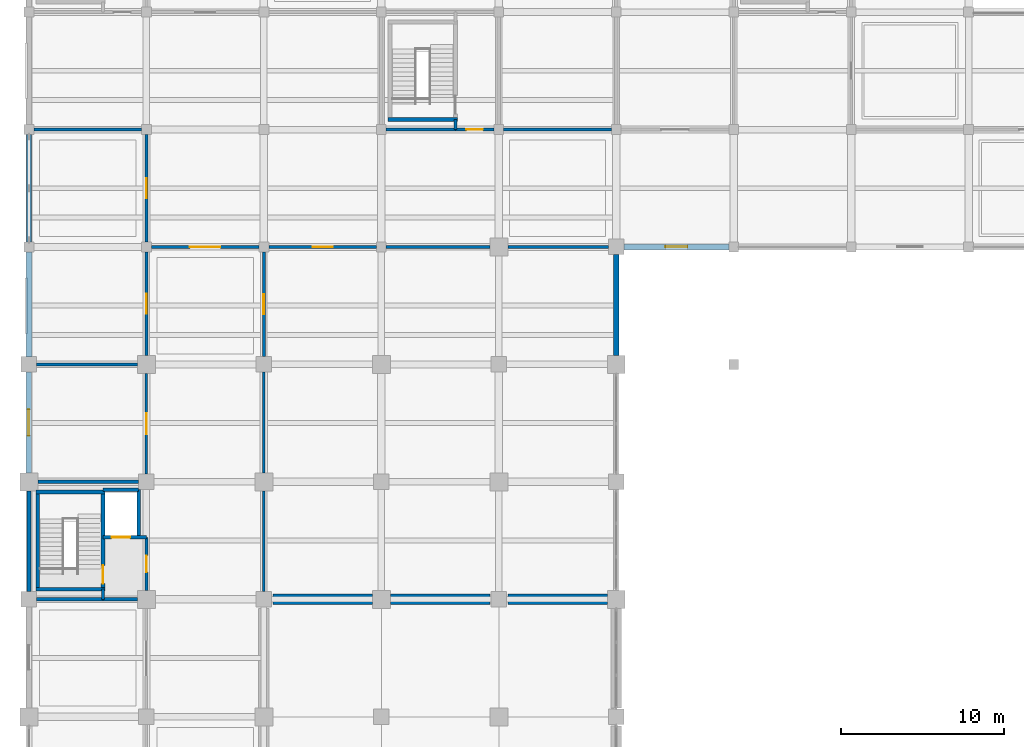
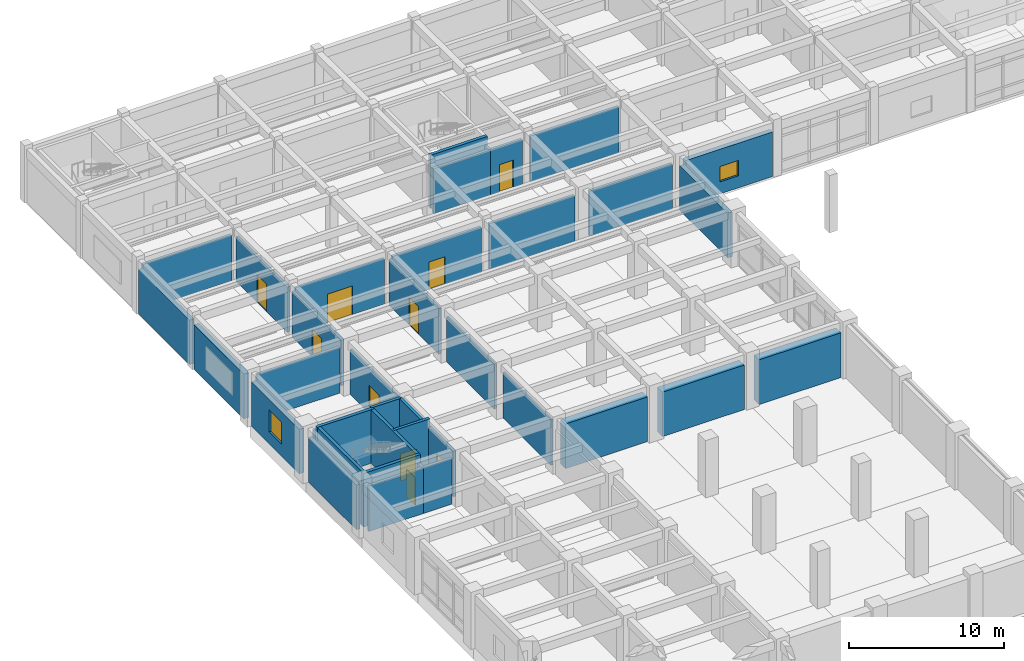
# One storey, part 64 of 81: 38 walls, 10 doors, 2 windows, 12 openings.
"""IFC4 building model written with IfcOpenShell, lengths in metres."""

import ifcopenshell
import ifcopenshell.guid

model = None  # the IFC model being written
_history = None  # IfcOwnerHistory: only IFC2X3 demands one
_inside = {}  # id of a spatial element -> (the spatial element, [elements in it])
_under = {}  # id of a project, library or spatial element -> (it, [spatial elements below it])
_declared = {}  # id of a project -> (the project, [libraries it declares])
_typed = {}  # id of a type object -> (the type object, [elements of that type])
_made_of = {}  # id of a material, layer set ... -> (it, [elements and type objects made of it])


def new_model(schema):
    """Start an empty IFC model of exactly this schema.

    Asked for "IFC4X3", IfcOpenShell would pick the latest addendum, in which some entities
    have other attributes; the version numbers below select the first issue.
    IFC2X3 requires an IfcOwnerHistory on every rooted entity: one is made here for all.
    """
    global model, _history
    if schema == "IFC4X3":
        model = ifcopenshell.file(schema_version=(4, 3, 0, 0))
    else:
        model = ifcopenshell.file(schema=schema)
    _inside.clear()
    _under.clear()
    _declared.clear()
    _typed.clear()
    _made_of.clear()
    _history = None
    if model.schema == "IFC2X3":
        org = make("IfcOrganization", Name="unknown")
        user = make(
            "IfcPersonAndOrganization",
            ThePerson=make("IfcPerson", FamilyName="unknown"),
            TheOrganization=org,
        )
        app = make(
            "IfcApplication",
            ApplicationDeveloper=org,
            Version="unknown",
            ApplicationFullName="unknown",
            ApplicationIdentifier="unknown",
        )
        _history = make(
            "IfcOwnerHistory",
            OwningUser=user,
            OwningApplication=app,
            ChangeAction="ADDED",
            CreationDate=0,
        )
    return model


def make(cls, **values):
    """One entity of the class cls with the attributes given. An attribute that is None is left unset."""
    return model.create_entity(
        cls, **{name: value for name, value in values.items() if value is not None}
    )


def rooted(cls, **values):
    """An entity with a GlobalId (a new one), such as an element, a storey or a relation."""
    return make(cls, GlobalId=ifcopenshell.guid.new(), OwnerHistory=_history, **values)


def si_unit(unit_type, name, prefix=None):
    """IfcSIUnit, for example si_unit("LENGTHUNIT", "METRE", prefix="MILLI")."""
    return make("IfcSIUnit", UnitType=unit_type, Prefix=prefix, Name=name)


def assignment(units):
    """IfcUnitAssignment: the units of a project."""
    return None if units is None else make("IfcUnitAssignment", Units=units)


def point(xyz):
    """IfcCartesianPoint."""
    return None if xyz is None else make("IfcCartesianPoint", Coordinates=xyz)


def direction(xyz):
    """IfcDirection."""
    return None if xyz is None else make("IfcDirection", DirectionRatios=xyz)


def frame(location, z_axis=None, x_axis=None):
    """IfcAxis2Placement3D, a coordinate frame: its origin and axes. An axis left out is left unset."""
    return make(
        "IfcAxis2Placement3D",
        Location=point(location),
        Axis=direction(z_axis),
        RefDirection=direction(x_axis),
    )


def frame_2d(location, x_axis=None):
    """IfcAxis2Placement2D, a coordinate frame in the plane: its origin and x axis."""
    return make(
        "IfcAxis2Placement2D", Location=point(location), RefDirection=direction(x_axis)
    )


def origin():
    """The frame at (0, 0, 0) with its axes left unset."""
    return frame((0.0, 0.0, 0.0))


def place(relative_to, where):
    """IfcLocalPlacement: puts the frame where relative to a parent placement (None: the world)."""
    return make(
        "IfcLocalPlacement", PlacementRelTo=relative_to, RelativePlacement=where
    )


def context(
    kind, dimensions, precision=None, world=None, true_north=None, identifier=None
):
    """IfcGeometricRepresentationContext, for example the 3D "Model" context."""
    return make(
        "IfcGeometricRepresentationContext",
        ContextIdentifier=identifier,
        ContextType=kind,
        CoordinateSpaceDimension=dimensions,
        Precision=precision,
        WorldCoordinateSystem=world,
        TrueNorth=true_north,
    )


def subcontext(parent, identifier, kind, view, scale=None):
    """IfcGeometricRepresentationSubContext, for example "Body" below "Model"."""
    return make(
        "IfcGeometricRepresentationSubContext",
        ContextIdentifier=identifier,
        ContextType=kind,
        ParentContext=parent,
        TargetScale=scale,
        TargetView=view,
    )


def project(units=None, contexts=None):
    """IfcProject with its units and contexts."""
    return rooted(
        "IfcProject",
        Name="project",
        RepresentationContexts=contexts,
        UnitsInContext=assignment(units),
    )


def spatial(cls, under=None, at=None, **own):
    """A site, building, storey or space (cls), placed at a placement, below another one or the project."""
    s = rooted(cls, ObjectPlacement=at, **own)
    if under is not None:
        _under.setdefault(under.id(), (under, []))[1].append(s)
    return s


def profile(cls, at=None, kind="AREA", **sizes):
    """A parametric profile (cls). Its sizes go by their IFC names, for example OverallWidth=200.0."""
    return make(cls, ProfileType=kind, Position=at, **sizes)


def rectangle(**sizes):
    """IfcRectangleProfileDef."""
    return profile("IfcRectangleProfileDef", **sizes)


def extrude(swept, where, along, depth):
    """IfcExtrudedAreaSolid: the profile swept, set in the frame where, extruded along a direction by depth."""
    return make(
        "IfcExtrudedAreaSolid",
        SweptArea=swept,
        Position=where,
        ExtrudedDirection=direction(along),
        Depth=depth,
    )


def shape(context_of_items, identifier, shape_type, items):
    """IfcShapeRepresentation: the items that make up one representation, for example the "Body"."""
    return make(
        "IfcShapeRepresentation",
        ContextOfItems=context_of_items,
        RepresentationIdentifier=identifier,
        RepresentationType=shape_type,
        Items=items,
    )


def material(Name=None, Category=None):
    """IfcMaterial."""
    return make("IfcMaterial", Name=Name, Category=Category)


def layer(
    of_material, thickness, ventilated=None, Name=None, Category=None, Priority=None
):
    """IfcMaterialLayer: one layer of a wall or slab, of a material (None: an air gap)."""
    return make(
        "IfcMaterialLayer",
        Material=of_material,
        LayerThickness=thickness,
        IsVentilated=ventilated,
        Name=Name,
        Category=Category,
        Priority=Priority,
    )


def layer_set(layers, Name=None):
    """IfcMaterialLayerSet."""
    return make("IfcMaterialLayerSet", MaterialLayers=layers, LayerSetName=Name)


def made_of(thing, what):
    """Note that an element or type object is made of a material, layer set ...; save() writes the relation."""
    if what is not None:
        _made_of.setdefault(what.id(), (what, []))[1].append(thing)
    return thing


def type_object(cls, material=None, **own):
    """A type object (cls), such as IfcWallType, which elements share."""
    return made_of(rooted(cls, **own), material)


def element(
    cls,
    number,
    at=None,
    inside=None,
    cuts=None,
    type_object=None,
    material=None,
    context=None,
    identifier="Body",
    shape_type=None,
    held_by="IfcProductDefinitionShape",
    body=None,
    shapes=None,
    **own,
):
    """One element of the class cls, such as IfcWall. Its Tag is "e" and its number.

    at: its placement. inside: the storey or other place that contains it. cuts: it is an
    opening in that element (IfcRelVoidsElement). A single representation is given by context,
    identifier, shape_type and body (its items); several are given by shapes. held_by: the class
    of the entity that holds the representations. save() writes the other relations.
    """
    e = rooted(cls, Tag="e%d" % number, ObjectPlacement=at, **own)
    if body is not None:
        shapes = [shape(context, identifier, shape_type, body)]
    if shapes is not None:
        e.Representation = make(held_by, Representations=shapes)
    if inside is not None:
        _inside.setdefault(inside.id(), (inside, []))[1].append(e)
    if cuts is not None:
        rooted(
            "IfcRelVoidsElement", RelatingBuildingElement=cuts, RelatedOpeningElement=e
        )
    if type_object is not None:
        _typed.setdefault(type_object.id(), (type_object, []))[1].append(e)
    return made_of(e, material)


def fill(opening, filler):
    """IfcRelFillsElement: the door or window that sits in an opening."""
    return rooted(
        "IfcRelFillsElement",
        RelatingOpeningElement=opening,
        RelatedBuildingElement=filler,
    )


def aggregate(whole, parts):
    """IfcRelAggregates: a whole, such as a stair, and the parts it consists of."""
    return rooted("IfcRelAggregates", RelatingObject=whole, RelatedObjects=parts)


def save(model, path):
    """Write the relations noted so far, then the file.

    IfcRelAggregates (storeys below a building ...), IfcRelContainedInSpatialStructure (elements
    in a storey), IfcRelDefinesByType, IfcRelAssociatesMaterial and IfcRelDeclares: one each for
    every whole, place, type object, material and project.
    """
    for whole, parts in _under.values():
        aggregate(whole, parts)
    for where, things in _inside.values():
        rooted(
            "IfcRelContainedInSpatialStructure",
            RelatedElements=things,
            RelatingStructure=where,
        )
    for kind, things in _typed.values():
        rooted("IfcRelDefinesByType", RelatedObjects=things, RelatingType=kind)
    for what, things in _made_of.values():
        rooted("IfcRelAssociatesMaterial", RelatedObjects=things, RelatingMaterial=what)
    for by, libraries in _declared.values():
        rooted("IfcRelDeclares", RelatingContext=by, RelatedDefinitions=libraries)
    model.write(path)


model = new_model("IFC4")

# Units and contexts
model_context = context("Model", 3, precision=1e-05, world=origin(), true_north=direction((0.0, 1.0)))
body_context = subcontext(model_context, "Body", "Model", "MODEL_VIEW")
ifc_project = project(units=[si_unit("LENGTHUNIT", "METRE"), si_unit("AREAUNIT", "SQUARE_METRE"), si_unit("VOLUMEUNIT", "CUBIC_METRE"), si_unit("PLANEANGLEUNIT", "RADIAN"), si_unit("MASSUNIT", "GRAM", prefix="KILO")], contexts=[model_context])

# Site, building, storey
site_placement = place(None, origin())
site = spatial("IfcSite", under=ifc_project, at=site_placement, CompositionType="ELEMENT")
building_placement = place(site_placement, origin())
building = spatial("IfcBuilding", under=site, at=building_placement, Name="Kavelor Marine Aquarium", CompositionType="ELEMENT")
storey_placement = place(building_placement, frame((0.0, 0.0, 4.679931640625)))
storey = spatial("IfcBuildingStorey", under=building, at=storey_placement, Name="L01", CompositionType="ELEMENT", Elevation=4.679931640625)

# Wall, opening, window
ifc_material_1 = material(Name="Concrete C45/55", Category="concrete")
ifc_layer_1 = layer(ifc_material_1, 0.360107421875)
ifc_layer_set_1 = layer_set([ifc_layer_1], Name="WL-EX1")
wall_type_1 = type_object("IfcWallType", Name="WL-EX1", PredefinedType="STANDARD", material=ifc_layer_set_1)
wall_1_placement = place(storey_placement, frame((46.10498046875, 89.199951171875, 0.0), z_axis=(0.0, 0.0, 1.0), x_axis=(-1.0, 0.0, 0.0)))
wall_1 = element("IfcWall", 1, at=wall_1_placement, inside=storey, type_object=wall_type_1, Name="ew:x:L01:05_12", PredefinedType="STANDARD", context=body_context, shape_type="SweptSolid", body=[
    extrude(rectangle(XDim=6.43505859375, YDim=0.360107421875, at=frame_2d((3.217529296875, 0.0))), origin(), (0.0, 0.0, 1.0), 3.510009765625),
])
opening_1_placement = place(wall_1_placement, frame((2.54248046875, 0.0, 0.949951171875)))
opening_1 = element("IfcOpeningElement", 2, at=opening_1_placement, cuts=wall_1, Name="Opening W26", PredefinedType="OPENING", context=body_context, shape_type="SweptSolid", body=[
    extrude(rectangle(XDim=1.35009765625, YDim=1.199951171875, at=frame_2d((0.675048828125, 0.60009765625))), frame((0.0, 0.18994140625, 0.0), z_axis=(0.0, -1.0, 0.0), x_axis=(1.0, 0.0, 0.0)), (0.0, 0.0, 1.0), 0.380107),
])
ifc_material_2 = material(Name="Anodised Aluminium Frame with Low-E Double Glazing", Category="aluminium")
window_type_1 = type_object("IfcWindowType", Name="WIN-W26", PartitioningType="SINGLE_PANEL", PredefinedType="WINDOW", material=ifc_material_2)
window_1_placement = place(opening_1_placement, origin())
window_1 = element("IfcWindow", 3, at=window_1_placement, inside=storey, type_object=window_type_1, Name="win:x:L01:05_12", OverallHeight=1.199951171875, OverallWidth=1.35009765625, PartitioningType="SINGLE_PANEL", PredefinedType="WINDOW", context=body_context, shape_type="SweptSolid", body=[
    extrude(rectangle(XDim=1.35009765625, YDim=1.199951171875, at=frame_2d((0.675048828125, 0.60009765625))), frame((0.0, 0.030029296875, 0.0), z_axis=(0.0, -1.0, 0.0), x_axis=(1.0, 0.0, 0.0)), (0.0, 0.0, 1.0), 0.06005859375),
])
fill(opening_1, window_1)

# Walls
wall_2_placement = place(storey_placement, frame((3.199951171875, 82.469970703125, 0.0), z_axis=(0.0, 0.0, 1.0), x_axis=(0.0, 1.0, 0.0)))
element("IfcWall", 4, at=wall_2_placement, inside=storey, type_object=wall_type_1, Name="ew:y:L01:00_11", PredefinedType="STANDARD", context=body_context, shape_type="SweptSolid", body=[
    extrude(rectangle(XDim=6.43505859375, YDim=0.360107421875, at=frame_2d((3.217529296875, 0.0))), origin(), (0.0, 0.0, 1.0), 3.510009765625),
])
ifc_material_3 = material(Name="Concrete C45/55", Category="concrete")
ifc_layer_2 = layer(ifc_material_3, 0.320068359375)
ifc_layer_set_2 = layer_set([ifc_layer_2], Name="WL-EX2")
wall_type_2 = type_object("IfcWallType", Name="WL-EX2", PredefinedType="STANDARD", material=ifc_layer_set_2)
wall_3_placement = place(storey_placement, frame((3.199951171875, 89.4951171875, 0.0), z_axis=(0.0, 0.0, 1.0), x_axis=(0.0, 1.0, 0.0)))
element("IfcWall", 5, at=wall_3_placement, inside=storey, type_object=wall_type_2, Name="ew:y:L01:00_12", PredefinedType="STANDARD", context=body_context, shape_type="SweptSolid", body=[
    extrude(rectangle(XDim=6.60986328125, YDim=0.320068359375, at=frame_2d((3.304931640625, 0.0))), origin(), (0.0, 0.0, 1.0), 3.489990234375),
])
ifc_material_4 = material(Name="Concrete C40/50", Category="concrete")
ifc_layer_3 = layer(ifc_material_4, 0.260009765625)
ifc_layer_set_3 = layer_set([ifc_layer_3], Name="WL-EX5")
wall_type_3 = type_object("IfcWallType", Name="WL-EX5", PredefinedType="STANDARD", material=ifc_layer_set_3)
wall_4_placement = place(storey_placement, frame((3.199951171875, 68.070068359375, 0.0), z_axis=(0.0, 0.0, 1.0), x_axis=(0.0, 1.0, 0.0)))
element("IfcWall", 6, at=wall_4_placement, inside=storey, type_object=wall_type_3, Name="ew:y:L01:00_09", PredefinedType="STANDARD", context=body_context, shape_type="SweptSolid", body=[
    extrude(rectangle(XDim=6.184814453125, YDim=0.260009765625, at=frame_2d((3.09228515625, 0.0))), origin(), (0.0, 0.0, 1.0), 3.510009765625),
])

# Wall, opening, window
ifc_material_5 = material(Name="Concrete C45/55", Category="concrete")
ifc_layer_4 = layer(ifc_material_5, 0.340087890625)
ifc_layer_set_4 = layer_set([ifc_layer_4], Name="WL-EX6")
wall_type_4 = type_object("IfcWallType", Name="WL-EX6", PredefinedType="STANDARD", material=ifc_layer_set_4)
wall_5_placement = place(storey_placement, frame((3.199951171875, 75.344970703125, 0.0), z_axis=(0.0, 0.0, 1.0), x_axis=(0.0, 1.0, 0.0)))
wall_5 = element("IfcWall", 7, at=wall_5_placement, inside=storey, type_object=wall_type_4, Name="ew:y:L01:00_10", PredefinedType="STANDARD", context=body_context, shape_type="SweptSolid", body=[
    extrude(rectangle(XDim=6.18505859375, YDim=0.340087890625, at=frame_2d((3.092529296875, 0.0))), origin(), (0.0, 0.0, 1.0), 3.489990234375),
])
opening_2_placement = place(wall_5_placement, frame((2.29248046875, 0.0, 0.949951171875)))
opening_2 = element("IfcOpeningElement", 8, at=opening_2_placement, cuts=wall_5, Name="Opening W06", PredefinedType="OPENING", context=body_context, shape_type="SweptSolid", body=[
    extrude(rectangle(XDim=1.60009765625, YDim=1.699951171875, at=frame_2d((0.800048828125, 0.85009765625))), frame((0.0, 0.179931640625, 0.0), z_axis=(0.0, -1.0, 0.0), x_axis=(1.0, 0.0, 0.0)), (0.0, 0.0, 1.0), 0.360088),
])
ifc_material_6 = material(Name="Anodised Aluminium Frame with Low-E Double Glazing", Category="aluminium")
window_type_2 = type_object("IfcWindowType", Name="WIN-W06", PartitioningType="SINGLE_PANEL", PredefinedType="WINDOW", material=ifc_material_6)
window_2_placement = place(opening_2_placement, origin())
window_2 = element("IfcWindow", 9, at=window_2_placement, inside=storey, type_object=window_type_2, Name="win:y:L01:00_10", OverallHeight=1.699951171875, OverallWidth=1.60009765625, PartitioningType="SINGLE_PANEL", PredefinedType="WINDOW", context=body_context, shape_type="SweptSolid", body=[
    extrude(rectangle(XDim=1.60009765625, YDim=1.699951171875, at=frame_2d((0.800048828125, 0.85009765625))), frame((0.0, 0.030029296875, 0.0), z_axis=(0.0, -1.0, 0.0), x_axis=(1.0, 0.0, 0.0)), (0.0, 0.0, 1.0), 0.06005859375),
])
fill(opening_2, window_2)

# Walls
wall_6_placement = place(storey_placement, frame((39.199951171875, 88.72998046875, 0.0), z_axis=(0.0, 0.0, 1.0), x_axis=(0.0, -1.0, 0.0)))
element("IfcWall", 10, at=wall_6_placement, inside=storey, type_object=wall_type_4, Name="ew:y:L01:05_11", PredefinedType="STANDARD", context=body_context, shape_type="SweptSolid", body=[
    extrude(rectangle(XDim=6.18505859375, YDim=0.340087890625, at=frame_2d((3.092529296875, 0.0))), origin(), (0.0, 0.0, 1.0), 3.510009765625),
])
ifc_material_7 = material(Name="Concrete Blockwork Partition", Category="masonry")
ifc_layer_5 = layer(ifc_material_7, 0.199951171875)
ifc_layer_set_5 = layer_set([ifc_layer_5], Name="WL-PT1")
wall_type_5 = type_object("IfcWallType", Name="WL-PT1", PredefinedType="PARTITIONING", material=ifc_layer_set_5)
wall_7_placement = place(storey_placement, frame((29.340087890625, 96.39990234375, 0.0), z_axis=(0.0, 0.0, 1.0), x_axis=(0.0, 1.0, 0.0)))
element("IfcWall", 11, at=wall_7_placement, inside=storey, type_object=wall_type_5, Name="pt:st_close:s:C02:L01", PredefinedType="PARTITIONING", context=body_context, shape_type="SweptSolid", body=[
    extrude(rectangle(XDim=0.6201171875, YDim=0.199951171875, at=frame_2d((0.31005859375, 0.0))), origin(), (0.0, 0.0, 1.0), 3.5400390625),
])
wall_8_placement = place(storey_placement, frame((25.10009765625, 96.39990234375, 0.0), z_axis=(0.0, 0.0, 1.0), x_axis=(1.0, 0.0, 0.0)))
element("IfcWall", 12, at=wall_8_placement, inside=storey, type_object=wall_type_5, Name="pt:lob:C02:L01:s_st", PredefinedType="PARTITIONING", context=body_context, shape_type="SweptSolid", body=[
    extrude(rectangle(XDim=4.239990234375, YDim=0.199951171875, at=frame_2d((2.1201171875, 0.0))), origin(), (0.0, 0.0, 1.0), 3.5400390625),
])

# Wall, opening, door
wall_9_placement = place(storey_placement, frame((29.340087890625, 96.39990234375, 0.0), z_axis=(0.0, 0.0, 1.0), x_axis=(1.0, 0.0, 0.0)))
wall_9 = element("IfcWall", 13, at=wall_9_placement, inside=storey, type_object=wall_type_5, Name="pt:lob:C02:L01:s", PredefinedType="PARTITIONING", context=body_context, shape_type="SweptSolid", body=[
    extrude(rectangle(XDim=2.35986328125, YDim=0.199951171875, at=frame_2d((1.179931640625, 0.0))), origin(), (0.0, 0.0, 1.0), 3.5400390625),
])
opening_3_placement = place(wall_9_placement, frame((0.669921875, 0.0, 0.0)))
opening_3 = element("IfcOpeningElement", 14, at=opening_3_placement, cuts=wall_9, Name="Opening SD1", PredefinedType="OPENING", context=body_context, shape_type="SweptSolid", body=[
    extrude(rectangle(XDim=1.02001953125, YDim=2.14990234375, at=frame_2d((0.510009765625, 1.074951171875))), frame((0.0, 0.10986328125, 0.0), z_axis=(0.0, -1.0, 0.0), x_axis=(1.0, 0.0, 0.0)), (0.0, 0.0, 1.0), 0.219951),
])
ifc_material_8 = material(Name="Fire-Rated Corridor Compartment Door")
door_type_1 = type_object("IfcDoorType", Name="DR-SD1", OperationType="NOTDEFINED", PredefinedType="DOOR", material=ifc_material_8)
door_1_placement = place(opening_3_placement, origin())
door_1 = element("IfcDoor", 15, at=door_1_placement, inside=storey, type_object=door_type_1, Name="Core Lobby Fire Door C02-L01", OperationType="SINGLE_SWING_RIGHT", OverallHeight=2.14990234375, OverallWidth=1.02001953125, PredefinedType="DOOR", context=body_context, shape_type="SweptSolid", body=[
    extrude(rectangle(XDim=1.02001953125, YDim=2.14990234375, at=frame_2d((0.510009765625, 1.074951171875))), frame((0.0, 0.02490234375, 0.0), z_axis=(0.0, -1.0, 0.0), x_axis=(1.0, 0.0, 0.0)), (0.0, 0.0, 1.0), 0.050048828125),
])
fill(opening_3, door_1)

# Wall
wall_10_placement = place(storey_placement, frame((7.739990234375, 67.60009765625, 0.0), z_axis=(0.0, 0.0, 1.0), x_axis=(0.0, 1.0, 0.0)))
element("IfcWall", 16, at=wall_10_placement, inside=storey, type_object=wall_type_5, Name="pt:st_close:s:C03:L01", PredefinedType="PARTITIONING", context=body_context, shape_type="SweptSolid", body=[
    extrude(rectangle(XDim=0.619873046875, YDim=0.199951171875, at=frame_2d((0.31005859375, 0.0))), origin(), (0.0, 0.0, 1.0), 3.590087890625),
])

# Wall, opening, door
wall_11_placement = place(storey_placement, frame((10.39990234375, 68.14990234375, 0.0), z_axis=(0.0, 0.0, 1.0), x_axis=(0.0, 1.0, 0.0)))
wall_11 = element("IfcWall", 17, at=wall_11_placement, inside=storey, type_object=wall_type_5, Name="pt:lob:C03:L01:e", PredefinedType="PARTITIONING", context=body_context, shape_type="SweptSolid", body=[
    extrude(rectangle(XDim=3.25, YDim=0.199951171875, at=frame_2d((1.625, 0.0))), origin(), (0.0, 0.0, 1.0), 3.590087890625),
])
opening_4_placement = place(wall_11_placement, frame((1.114990234375, 0.0, 0.0)))
opening_4 = element("IfcOpeningElement", 18, at=opening_4_placement, cuts=wall_11, Name="Opening SD1", PredefinedType="OPENING", context=body_context, shape_type="SweptSolid", body=[
    extrude(rectangle(XDim=1.02001953125, YDim=2.14990234375, at=frame_2d((0.510009765625, 1.074951171875))), frame((0.0, 0.10986328125, 0.0), z_axis=(0.0, -1.0, 0.0), x_axis=(1.0, 0.0, 0.0)), (0.0, 0.0, 1.0), 0.219951),
])
door_2_placement = place(opening_4_placement, origin())
door_2 = element("IfcDoor", 19, at=door_2_placement, inside=storey, type_object=door_type_1, Name="Core Lobby Fire Door C03-L01", OperationType="SINGLE_SWING_RIGHT", OverallHeight=2.14990234375, OverallWidth=1.02001953125, PredefinedType="DOOR", context=body_context, shape_type="SweptSolid", body=[
    extrude(rectangle(XDim=1.02001953125, YDim=2.14990234375, at=frame_2d((0.510009765625, 1.074951171875))), frame((0.0, 0.02490234375, 0.0), z_axis=(0.0, -1.0, 0.0), x_axis=(1.0, 0.0, 0.0)), (0.0, 0.0, 1.0), 0.050048828125),
])
fill(opening_4, door_2)

# Walls
wall_12_placement = place(storey_placement, frame((3.675048828125, 67.60009765625, 0.0), z_axis=(0.0, 0.0, 1.0), x_axis=(1.0, 0.0, 0.0)))
element("IfcWall", 20, at=wall_12_placement, inside=storey, type_object=wall_type_5, Name="pt:lob:C03:L01:s_st", PredefinedType="PARTITIONING", context=body_context, shape_type="SweptSolid", body=[
    extrude(rectangle(XDim=4.06494140625, YDim=0.199951171875, at=frame_2d((2.032470703125, 0.0))), origin(), (0.0, 0.0, 1.0), 3.590087890625),
])
wall_13_placement = place(storey_placement, frame((7.739990234375, 67.60009765625, 0.0), z_axis=(0.0, 0.0, 1.0), x_axis=(1.0, 0.0, 0.0)))
element("IfcWall", 21, at=wall_13_placement, inside=storey, type_object=wall_type_5, Name="pt:lob:C03:L01:s", PredefinedType="PARTITIONING", context=body_context, shape_type="SweptSolid", body=[
    extrude(rectangle(XDim=2.110107421875, YDim=0.199951171875, at=frame_2d((1.05517578125, 0.0))), origin(), (0.0, 0.0, 1.0), 3.590087890625),
])
wall_14_placement = place(storey_placement, frame((3.75, 74.800048828125, 0.0), z_axis=(0.0, 0.0, 1.0), x_axis=(1.0, 0.0, 0.0)))
element("IfcWall", 22, at=wall_14_placement, inside=storey, type_object=wall_type_5, Name="pt:lob:C03:L01:n_full", PredefinedType="PARTITIONING", context=body_context, shape_type="SweptSolid", body=[
    extrude(rectangle(XDim=6.175048828125, YDim=0.199951171875, at=frame_2d((3.08740234375, 0.0))), origin(), (0.0, 0.0, 1.0), 3.5400390625),
])
wall_15_placement = place(storey_placement, frame((3.675048828125, 82.0, 0.0), z_axis=(0.0, 0.0, 1.0), x_axis=(1.0, 0.0, 0.0)))
element("IfcWall", 23, at=wall_15_placement, inside=storey, type_object=wall_type_5, Name="pt:x:L01:00_10", PredefinedType="PARTITIONING", context=body_context, shape_type="SweptSolid", body=[
    extrude(rectangle(XDim=6.175048828125, YDim=0.199951171875, at=frame_2d((3.08740234375, 0.0))), origin(), (0.0, 0.0, 1.0), 3.590087890625),
])

# Wall, opening, door
wall_16_placement = place(storey_placement, frame((10.39990234375, 82.550048828125, 0.0), z_axis=(0.0, 0.0, 1.0), x_axis=(0.0, 1.0, 0.0)))
wall_16 = element("IfcWall", 24, at=wall_16_placement, inside=storey, type_object=wall_type_5, Name="pt:y:L01:00_11", PredefinedType="PARTITIONING", context=body_context, shape_type="SweptSolid", body=[
    extrude(rectangle(XDim=6.349853515625, YDim=0.199951171875, at=frame_2d((3.1748046875, 0.0))), origin(), (0.0, 0.0, 1.0), 3.590087890625),
])
opening_5_placement = place(wall_16_placement, frame((2.56494140625, 0.0, 0.0)))
opening_5 = element("IfcOpeningElement", 25, at=opening_5_placement, cuts=wall_16, Name="Opening D06", PredefinedType="OPENING", context=body_context, shape_type="SweptSolid", body=[
    extrude(rectangle(XDim=1.219970703125, YDim=2.159912109375, at=frame_2d((0.60986328125, 1.080078125))), frame((0.0, 0.10986328125, 0.0), z_axis=(0.0, -1.0, 0.0), x_axis=(1.0, 0.0, 0.0)), (0.0, 0.0, 1.0), 0.219951),
])
ifc_material_9 = material(Name="Biosecure Quarantine Plant Room Door")
door_type_2 = type_object("IfcDoorType", Name="DR-D06", OperationType="NOTDEFINED", PredefinedType="DOOR", material=ifc_material_9)
door_3_placement = place(opening_5_placement, origin())
door_3 = element("IfcDoor", 26, at=door_3_placement, inside=storey, type_object=door_type_2, Name="dr:rm:pt:y:L01:00_11:0", OperationType="SINGLE_SWING_RIGHT", OverallHeight=2.159912109375, OverallWidth=1.219970703125, PredefinedType="DOOR", context=body_context, shape_type="SweptSolid", body=[
    extrude(rectangle(XDim=1.219970703125, YDim=2.159912109375, at=frame_2d((0.60986328125, 1.080078125))), frame((0.0, 0.02490234375, 0.0), z_axis=(0.0, -1.0, 0.0), x_axis=(1.0, 0.0, 0.0)), (0.0, 0.0, 1.0), 0.050048828125),
])
fill(opening_5, door_3)

wall_17_placement = place(storey_placement, frame((10.39990234375, 89.5, 0.0), z_axis=(0.0, 0.0, 1.0), x_axis=(0.0, 1.0, 0.0)))
wall_17 = element("IfcWall", 27, at=wall_17_placement, inside=storey, type_object=wall_type_5, Name="pt:y:L01:00_12", PredefinedType="PARTITIONING", context=body_context, shape_type="SweptSolid", body=[
    extrude(rectangle(XDim=6.60009765625, YDim=0.199951171875, at=frame_2d((3.300048828125, 0.0))), origin(), (0.0, 0.0, 1.0), 3.5400390625),
])
opening_6_placement = place(wall_17_placement, frame((2.68994140625, 0.0, 0.0)))
opening_6 = element("IfcOpeningElement", 28, at=opening_6_placement, cuts=wall_17, Name="Opening D06", PredefinedType="OPENING", context=body_context, shape_type="SweptSolid", body=[
    extrude(rectangle(XDim=1.219970703125, YDim=2.159912109375, at=frame_2d((0.60986328125, 1.080078125))), frame((0.0, 0.10986328125, 0.0), z_axis=(0.0, -1.0, 0.0), x_axis=(1.0, 0.0, 0.0)), (0.0, 0.0, 1.0), 0.219951),
])
door_4_placement = place(opening_6_placement, origin())
door_4 = element("IfcDoor", 29, at=door_4_placement, inside=storey, type_object=door_type_2, Name="dr:rm:pt:y:L01:00_12:0", OperationType="SINGLE_SWING_LEFT", OverallHeight=2.159912109375, OverallWidth=1.219970703125, PredefinedType="DOOR", context=body_context, shape_type="SweptSolid", body=[
    extrude(rectangle(XDim=1.219970703125, YDim=2.159912109375, at=frame_2d((0.60986328125, 1.080078125))), frame((0.0, 0.02490234375, 0.0), z_axis=(0.0, -1.0, 0.0), x_axis=(1.0, 0.0, 0.0)), (0.0, 0.0, 1.0), 0.050048828125),
])
fill(opening_6, door_4)

# Wall
wall_18_placement = place(storey_placement, frame((3.5, 96.39990234375, 0.0), z_axis=(0.0, 0.0, 1.0), x_axis=(1.0, 0.0, 0.0)))
element("IfcWall", 30, at=wall_18_placement, inside=storey, type_object=wall_type_5, Name="pt:x:L01:00_12", PredefinedType="PARTITIONING", context=body_context, shape_type="SweptSolid", body=[
    extrude(rectangle(XDim=6.60009765625, YDim=0.199951171875, at=frame_2d((3.300048828125, 0.0))), origin(), (0.0, 0.0, 1.0), 3.590087890625),
])

# Wall, opening, door
wall_19_placement = place(storey_placement, frame((17.60009765625, 82.47509765625, 0.0), z_axis=(0.0, 0.0, 1.0), x_axis=(0.0, 1.0, 0.0)))
wall_19 = element("IfcWall", 31, at=wall_19_placement, inside=storey, type_object=wall_type_5, Name="pt:y:L01:01_11", PredefinedType="PARTITIONING", context=body_context, shape_type="SweptSolid", body=[
    extrude(rectangle(XDim=6.4248046875, YDim=0.199951171875, at=frame_2d((3.21240234375, 0.0))), origin(), (0.0, 0.0, 1.0), 3.590087890625),
])
opening_7_placement = place(wall_19_placement, frame((2.6025390625, 0.0, 0.0)))
opening_7 = element("IfcOpeningElement", 32, at=opening_7_placement, cuts=wall_19, Name="Opening D06", PredefinedType="OPENING", context=body_context, shape_type="SweptSolid", body=[
    extrude(rectangle(XDim=1.219970703125, YDim=2.159912109375, at=frame_2d((0.60986328125, 1.080078125))), frame((0.0, 0.10986328125, 0.0), z_axis=(0.0, -1.0, 0.0), x_axis=(1.0, 0.0, 0.0)), (0.0, 0.0, 1.0), 0.219951),
])
door_5_placement = place(opening_7_placement, origin())
door_5 = element("IfcDoor", 33, at=door_5_placement, inside=storey, type_object=door_type_2, Name="dr:rm:pt:y:L01:01_11:0", OperationType="SINGLE_SWING_RIGHT", OverallHeight=2.159912109375, OverallWidth=1.219970703125, PredefinedType="DOOR", context=body_context, shape_type="SweptSolid", body=[
    extrude(rectangle(XDim=1.219970703125, YDim=2.159912109375, at=frame_2d((0.60986328125, 1.080078125))), frame((0.0, 0.02490234375, 0.0), z_axis=(0.0, -1.0, 0.0), x_axis=(1.0, 0.0, 0.0)), (0.0, 0.0, 1.0), 0.050048828125),
])
fill(opening_7, door_5)

wall_20_placement = place(storey_placement, frame((17.89990234375, 89.199951171875, 0.0), z_axis=(0.0, 0.0, 1.0), x_axis=(1.0, 0.0, 0.0)))
wall_20 = element("IfcWall", 34, at=wall_20_placement, inside=storey, type_object=wall_type_5, Name="pt:x:L01:02_11", PredefinedType="PARTITIONING", context=body_context, shape_type="SweptSolid", body=[
    extrude(rectangle(XDim=6.60009765625, YDim=0.199951171875, at=frame_2d((3.300048828125, 0.0))), origin(), (0.0, 0.0, 1.0), 3.5400390625),
])
opening_8_placement = place(wall_20_placement, frame((2.68994140625, 0.0, 0.0)))
opening_8 = element("IfcOpeningElement", 35, at=opening_8_placement, cuts=wall_20, Name="Opening D06", PredefinedType="OPENING", context=body_context, shape_type="SweptSolid", body=[
    extrude(rectangle(XDim=1.219970703125, YDim=2.159912109375, at=frame_2d((0.60986328125, 1.080078125))), frame((0.0, 0.10986328125, 0.0), z_axis=(0.0, -1.0, 0.0), x_axis=(1.0, 0.0, 0.0)), (0.0, 0.0, 1.0), 0.219951),
])
door_6_placement = place(opening_8_placement, origin())
door_6 = element("IfcDoor", 36, at=door_6_placement, inside=storey, type_object=door_type_2, Name="dr:rm:pt:x:L01:02_11:0", OperationType="SINGLE_SWING_RIGHT", OverallHeight=2.159912109375, OverallWidth=1.219970703125, PredefinedType="DOOR", context=body_context, shape_type="SweptSolid", body=[
    extrude(rectangle(XDim=1.219970703125, YDim=2.159912109375, at=frame_2d((0.60986328125, 1.080078125))), frame((0.0, 0.02490234375, 0.0), z_axis=(0.0, -1.0, 0.0), x_axis=(1.0, 0.0, 0.0)), (0.0, 0.0, 1.0), 0.050048828125),
])
fill(opening_8, door_6)

# Walls
wall_21_placement = place(storey_placement, frame((25.10009765625, 89.199951171875, 0.0), z_axis=(0.0, 0.0, 1.0), x_axis=(1.0, 0.0, 0.0)))
element("IfcWall", 37, at=wall_21_placement, inside=storey, type_object=wall_type_5, Name="pt:x:L01:03_11", PredefinedType="PARTITIONING", context=body_context, shape_type="SweptSolid", body=[
    extrude(rectangle(XDim=6.349853515625, YDim=0.199951171875, at=frame_2d((3.1748046875, 0.0))), origin(), (0.0, 0.0, 1.0), 3.590087890625),
])
wall_22_placement = place(storey_placement, frame((32.550048828125, 89.199951171875, 0.0), z_axis=(0.0, 0.0, 1.0), x_axis=(1.0, 0.0, 0.0)))
element("IfcWall", 38, at=wall_22_placement, inside=storey, type_object=wall_type_5, Name="pt:x:L01:04_11", PredefinedType="PARTITIONING", context=body_context, shape_type="SweptSolid", body=[
    extrude(rectangle(XDim=6.175048828125, YDim=0.199951171875, at=frame_2d((3.08740234375, 0.0))), origin(), (0.0, 0.0, 1.0), 3.5400390625),
])
wall_23_placement = place(storey_placement, frame((32.300048828125, 96.39990234375, 0.0), z_axis=(0.0, 0.0, 1.0), x_axis=(1.0, 0.0, 0.0)))
element("IfcWall", 39, at=wall_23_placement, inside=storey, type_object=wall_type_5, Name="pt:x:L01:04_12", PredefinedType="PARTITIONING", context=body_context, shape_type="SweptSolid", body=[
    extrude(rectangle(XDim=6.599853515625, YDim=0.199951171875, at=frame_2d((3.2998046875, 0.0))), origin(), (0.0, 0.0, 1.0), 3.590087890625),
])

# Wall, opening, door
ifc_material_10 = material(Name="Acoustic Gypsum Stud Partition")
ifc_layer_6 = layer(ifc_material_10, 0.159912109375)
ifc_layer_set_6 = layer_set([ifc_layer_6], Name="WL-PT2")
wall_type_6 = type_object("IfcWallType", Name="WL-PT2", PredefinedType="PARTITIONING", material=ifc_layer_set_6)
wall_24_placement = place(storey_placement, frame((10.39990234375, 75.27490234375, 0.0), z_axis=(0.0, 0.0, 1.0), x_axis=(0.0, 1.0, 0.0)))
wall_24 = element("IfcWall", 40, at=wall_24_placement, inside=storey, type_object=wall_type_6, Name="pt:y:L01:00_10", PredefinedType="PARTITIONING", context=body_context, shape_type="SweptSolid", body=[
    extrude(rectangle(XDim=6.175048828125, YDim=0.159912109375, at=frame_2d((3.08740234375, 0.0))), origin(), (0.0, 0.0, 1.0), 3.5400390625),
])
opening_9_placement = place(wall_24_placement, frame((2.447509765625, 0.0, 0.0)))
opening_9 = element("IfcOpeningElement", 41, at=opening_9_placement, cuts=wall_24, Name="Opening D10", PredefinedType="OPENING", context=body_context, shape_type="SweptSolid", body=[
    extrude(rectangle(XDim=1.280029296875, YDim=2.199951171875, at=frame_2d((0.64013671875, 1.10009765625))), frame((0.0, 0.08984375, 0.0), z_axis=(0.0, -1.0, 0.0), x_axis=(1.0, 0.0, 0.0)), (0.0, 0.0, 1.0), 0.179912),
])
ifc_material_11 = material(Name="Equipment Store Wide Leaf Door")
door_type_3 = type_object("IfcDoorType", Name="DR-D10", OperationType="NOTDEFINED", PredefinedType="DOOR", material=ifc_material_11)
door_7_placement = place(opening_9_placement, origin())
door_7 = element("IfcDoor", 42, at=door_7_placement, inside=storey, type_object=door_type_3, Name="dr:rm:pt:y:L01:00_10:0", OperationType="SINGLE_SWING_RIGHT", OverallHeight=2.199951171875, OverallWidth=1.280029296875, PredefinedType="DOOR", context=body_context, shape_type="SweptSolid", body=[
    extrude(rectangle(XDim=1.280029296875, YDim=2.199951171875, at=frame_2d((0.64013671875, 1.10009765625))), frame((0.0, 0.02490234375, 0.0), z_axis=(0.0, -1.0, 0.0), x_axis=(1.0, 0.0, 0.0)), (0.0, 0.0, 1.0), 0.050048828125),
])
fill(opening_9, door_7)

# Walls
wall_25_placement = place(storey_placement, frame((17.60009765625, 68.074951171875, 0.0), z_axis=(0.0, 0.0, 1.0), x_axis=(0.0, 1.0, 0.0)))
element("IfcWall", 43, at=wall_25_placement, inside=storey, type_object=wall_type_6, Name="pt:y:L01:01_09", PredefinedType="PARTITIONING", context=body_context, shape_type="SweptSolid", body=[
    extrude(rectangle(XDim=6.175048828125, YDim=0.159912109375, at=frame_2d((3.08740234375, 0.0))), origin(), (0.0, 0.0, 1.0), 3.590087890625),
])
wall_26_placement = place(storey_placement, frame((17.60009765625, 75.35009765625, 0.0), z_axis=(0.0, 0.0, 1.0), x_axis=(0.0, 1.0, 0.0)))
element("IfcWall", 44, at=wall_26_placement, inside=storey, type_object=wall_type_6, Name="pt:y:L01:01_10", PredefinedType="PARTITIONING", context=body_context, shape_type="SweptSolid", body=[
    extrude(rectangle(XDim=6.1748046875, YDim=0.159912109375, at=frame_2d((3.08740234375, 0.0))), origin(), (0.0, 0.0, 1.0), 3.5400390625),
])

# Wall, opening, door
wall_27_placement = place(storey_placement, frame((10.699951171875, 89.199951171875, 0.0), z_axis=(0.0, 0.0, 1.0), x_axis=(1.0, 0.0, 0.0)))
wall_27 = element("IfcWall", 45, at=wall_27_placement, inside=storey, type_object=wall_type_6, Name="pt:x:L01:01_11", PredefinedType="PARTITIONING", context=body_context, shape_type="SweptSolid", body=[
    extrude(rectangle(XDim=6.60009765625, YDim=0.159912109375, at=frame_2d((3.300048828125, 0.0))), origin(), (0.0, 0.0, 1.0), 3.590087890625),
])
opening_10_placement = place(wall_27_placement, frame((2.3701171875, 0.0, 0.0)))
opening_10 = element("IfcOpeningElement", 46, at=opening_10_placement, cuts=wall_27, Name="Opening D13", PredefinedType="OPENING", context=body_context, shape_type="SweptSolid", body=[
    extrude(rectangle(XDim=1.860107421875, YDim=2.260009765625, at=frame_2d((0.93017578125, 1.1298828125))), frame((0.0, 0.08984375, 0.0), z_axis=(0.0, -1.0, 0.0), x_axis=(1.0, 0.0, 0.0)), (0.0, 0.0, 1.0), 0.179912),
])
ifc_material_12 = material(Name="Main Foyer Exhibition Double Door")
door_type_4 = type_object("IfcDoorType", Name="DR-D13", OperationType="NOTDEFINED", PredefinedType="DOOR", material=ifc_material_12)
door_8_placement = place(opening_10_placement, origin())
door_8 = element("IfcDoor", 47, at=door_8_placement, inside=storey, type_object=door_type_4, Name="dr:rm:pt:x:L01:01_11:0", OperationType="DOUBLE_DOOR_SINGLE_SWING", OverallHeight=2.260009765625, OverallWidth=1.860107421875, PredefinedType="DOOR", context=body_context, shape_type="SweptSolid", body=[
    extrude(rectangle(XDim=1.860107421875, YDim=2.260009765625, at=frame_2d((0.93017578125, 1.1298828125))), frame((0.0, 0.02490234375, 0.0), z_axis=(0.0, -1.0, 0.0), x_axis=(1.0, 0.0, 0.0)), (0.0, 0.0, 1.0), 0.050048828125),
])
fill(opening_10, door_8)

# Walls
ifc_material_13 = material(Name="Concrete C40/50", Category="concrete")
ifc_layer_7 = layer(ifc_material_13, 0.35009765625)
ifc_layer_set_7 = layer_set([ifc_layer_7], Name="WL-SW2")
wall_type_7 = type_object("IfcWallType", Name="WL-SW2", PredefinedType="SHEAR", material=ifc_layer_set_7)
wall_28_placement = place(storey_placement, frame((25.219970703125, 97.02001953125, 0.0), z_axis=(0.0, 0.0, 1.0), x_axis=(1.0, 0.0, 0.0)))
element("IfcWall", 48, at=wall_28_placement, inside=storey, type_object=wall_type_7, Name="cw_st:s:C02:L01", PredefinedType="SHEAR", context=body_context, shape_type="SweptSolid", body=[
    extrude(rectangle(XDim=4.239990234375, YDim=0.239990234375, at=frame_2d((2.1201171875, 0.0))), origin(), (0.0, 0.0, 1.0), 4.199951171875),
])
for number, where, z_axis, x_axis, name in (
    (49, (3.6201171875, 68.219970703125, 0.0), (0.0, 0.0, 1.0), (1.0, 0.0, 0.0), "cw_st:s:C03:L01"),
    (50, (3.6201171875, 74.179931640625, 0.0), (0.0, 0.0, 1.0), (1.0, 0.0, 0.0), "cw_st:n:C03:L01"),
):
    element("IfcWall", number, at=place(storey_placement, frame(where, z_axis=z_axis, x_axis=x_axis)), inside=storey, type_object=wall_type_7, Name=name, PredefinedType="SHEAR", context=body_context, shape_type="SweptSolid", body=[
        extrude(rectangle(XDim=4.239990234375, YDim=0.239990234375, at=frame_2d((2.1201171875, 0.0))), origin(), (0.0, 0.0, 1.0), 4.219970703125),
    ])
wall_29_placement = place(storey_placement, frame((3.739990234375, 68.340087890625, 0.0), z_axis=(0.0, 0.0, 1.0), x_axis=(0.0, 1.0, 0.0)))
element("IfcWall", 51, at=wall_29_placement, inside=storey, type_object=wall_type_7, Name="cw_st:w:C03:L01", PredefinedType="SHEAR", context=body_context, shape_type="SweptSolid", body=[
    extrude(rectangle(XDim=5.719970703125, YDim=0.239990234375, at=frame_2d((2.85986328125, 0.0))), origin(), (0.0, 0.0, 1.0), 4.219970703125),
])

# Wall, opening, door
wall_30_placement = place(storey_placement, frame((7.739990234375, 68.340087890625, 0.0), z_axis=(0.0, 0.0, 1.0), x_axis=(0.0, 1.0, 0.0)))
wall_30 = element("IfcWall", 52, at=wall_30_placement, inside=storey, type_object=wall_type_7, Name="cw_st:e:C03:L01", PredefinedType="SHEAR", context=body_context, shape_type="SweptSolid", body=[
    extrude(rectangle(XDim=5.719970703125, YDim=0.239990234375, at=frame_2d((2.85986328125, 0.0))), origin(), (0.0, 0.0, 1.0), 4.219970703125),
])
opening_11_placement = place(wall_30_placement, frame((0.219970703125, 0.0, 0.0)))
opening_11 = element("IfcOpeningElement", 53, at=opening_11_placement, cuts=wall_30, Name="Opening FD1", PredefinedType="OPENING", context=body_context, shape_type="SweptSolid", body=[
    extrude(rectangle(XDim=1.1201171875, YDim=2.14990234375, at=frame_2d((0.56005859375, 1.074951171875))), frame((0.0, 0.1298828125, 0.0), z_axis=(0.0, -1.0, 0.0), x_axis=(1.0, 0.0, 0.0)), (0.0, 0.0, 1.0), 0.25999),
])
ifc_material_14 = material(Name="Fire-Rated Steel Stair and Core Door", Category="steel")
door_type_5 = type_object("IfcDoorType", Name="DR-FD1", OperationType="NOTDEFINED", PredefinedType="DOOR", material=ifc_material_14)
door_9_placement = place(opening_11_placement, origin())
door_9 = element("IfcDoor", 54, at=door_9_placement, inside=storey, type_object=door_type_5, Name="Stair Fire Door ST03-L01", OperationType="SINGLE_SWING_LEFT", OverallHeight=2.14990234375, OverallWidth=1.1201171875, PredefinedType="DOOR", context=body_context, shape_type="SweptSolid", body=[
    extrude(rectangle(XDim=1.1201171875, YDim=2.14990234375, at=frame_2d((0.56005859375, 1.074951171875))), frame((0.0, 0.02490234375, 0.0), z_axis=(0.0, -1.0, 0.0), x_axis=(1.0, 0.0, 0.0)), (0.0, 0.0, 1.0), 0.050048828125),
])
fill(opening_11, door_9)

wall_31_placement = place(storey_placement, frame((7.739990234375, 71.39990234375, 0.0), z_axis=(0.0, 0.0, 1.0), x_axis=(1.0, 0.0, 0.0)))
wall_31 = element("IfcWall", 55, at=wall_31_placement, inside=storey, type_object=wall_type_7, Name="cw_lf:s:C03:L01", PredefinedType="SHEAR", context=body_context, shape_type="SweptSolid", body=[
    extrude(rectangle(XDim=2.659912109375, YDim=0.219970703125, at=frame_2d((1.330078125, 0.0))), origin(), (0.0, 0.0, 1.0), 4.219970703125),
])
opening_12_placement = place(wall_31_placement, frame((0.5224609375, 0.0, 0.0)))
opening_12 = element("IfcOpeningElement", 56, at=opening_12_placement, cuts=wall_31, Name="Opening LD1", PredefinedType="OPENING", context=body_context, shape_type="SweptSolid", body=[
    extrude(rectangle(XDim=1.139892578125, YDim=2.14990234375, at=frame_2d((0.56982421875, 1.074951171875))), frame((0.0, 0.119873046875, 0.0), z_axis=(0.0, -1.0, 0.0), x_axis=(1.0, 0.0, 0.0)), (0.0, 0.0, 1.0), 0.239971),
])
ifc_material_15 = material(Name="Stainless Steel Lift Landing Sliding Door", Category="steel")
door_type_6 = type_object("IfcDoorType", Name="DR-LD1", OperationType="NOTDEFINED", PredefinedType="DOOR", material=ifc_material_15)
door_10_placement = place(opening_12_placement, origin())
door_10 = element("IfcDoor", 57, at=door_10_placement, inside=storey, type_object=door_type_6, Name="Lift Landing Sliding Door EL1-L01", OperationType="SLIDING_TO_LEFT", OverallHeight=2.14990234375, OverallWidth=1.139892578125, PredefinedType="DOOR", context=body_context, shape_type="SweptSolid", body=[
    extrude(rectangle(XDim=1.139892578125, YDim=2.14990234375, at=frame_2d((0.56982421875, 1.074951171875))), frame((0.0, 0.02490234375, 0.0), z_axis=(0.0, -1.0, 0.0), x_axis=(1.0, 0.0, 0.0)), (0.0, 0.0, 1.0), 0.050048828125),
])
fill(opening_12, door_10)

# Walls
wall_32_placement = place(storey_placement, frame((7.739990234375, 74.324951171875, 0.0), z_axis=(0.0, 0.0, 1.0), x_axis=(1.0, 0.0, 0.0)))
element("IfcWall", 58, at=wall_32_placement, inside=storey, type_object=wall_type_7, Name="cw_lf:n:C03:L01", PredefinedType="SHEAR", context=body_context, shape_type="SweptSolid", body=[
    extrude(rectangle(XDim=2.18505859375, YDim=0.219970703125, at=frame_2d((1.092529296875, 0.0))), origin(), (0.0, 0.0, 1.0), 4.219970703125),
])
wall_33_placement = place(storey_placement, frame((9.925048828125, 71.39990234375, 0.0), z_axis=(0.0, 0.0, 1.0), x_axis=(0.0, 1.0, 0.0)))
element("IfcWall", 59, at=wall_33_placement, inside=storey, type_object=wall_type_7, Name="cw_lf:e:C03:L01", PredefinedType="SHEAR", context=body_context, shape_type="SweptSolid", body=[
    extrude(rectangle(XDim=2.925048828125, YDim=0.219970703125, at=frame_2d((1.46240234375, 0.0))), origin(), (0.0, 0.0, 1.0), 4.219970703125),
])
ifc_material_16 = material(Name="Concrete C45/55", Category="concrete")
ifc_layer_8 = layer(ifc_material_16, 0.64990234375)
ifc_layer_set_8 = layer_set([ifc_layer_8], Name="WL-TK1")
wall_type_8 = type_object("IfcWallType", Name="WL-TK1", PredefinedType="SHEAR", material=ifc_layer_set_8)
wall_34_placement = place(storey_placement, frame((18.14990234375, 67.60009765625, 0.0), z_axis=(0.0, 0.0, 1.0), x_axis=(1.0, 0.0, 0.0)))
element("IfcWall", 60, at=wall_34_placement, inside=storey, type_object=wall_type_8, Name="tkw:x:L01:02_09", PredefinedType="SHEAR", context=body_context, shape_type="SweptSolid", body=[
    extrude(rectangle(XDim=6.10009765625, YDim=0.64990234375, at=frame_2d((3.050048828125, 0.0))), origin(), (0.0, 0.0, 1.0), 3.52001953125),
])
wall_35_placement = place(storey_placement, frame((25.35009765625, 67.60009765625, 0.0), z_axis=(0.0, 0.0, 1.0), x_axis=(1.0, 0.0, 0.0)))
element("IfcWall", 61, at=wall_35_placement, inside=storey, type_object=wall_type_8, Name="tkw:x:L01:03_09", PredefinedType="SHEAR", context=body_context, shape_type="SweptSolid", body=[
    extrude(rectangle(XDim=6.099853515625, YDim=0.64990234375, at=frame_2d((3.0498046875, 0.0))), origin(), (0.0, 0.0, 1.0), 3.5),
])
wall_36_placement = place(storey_placement, frame((32.550048828125, 67.60009765625, 0.0), z_axis=(0.0, 0.0, 1.0), x_axis=(1.0, 0.0, 0.0)))
element("IfcWall", 62, at=wall_36_placement, inside=storey, type_object=wall_type_8, Name="tkw:x:L01:04_09", PredefinedType="SHEAR", context=body_context, shape_type="SweptSolid", body=[
    extrude(rectangle(XDim=6.099853515625, YDim=0.64990234375, at=frame_2d((3.0498046875, 0.0))), origin(), (0.0, 0.0, 1.0), 3.52001953125),
])

save(model, "model.ifc")
